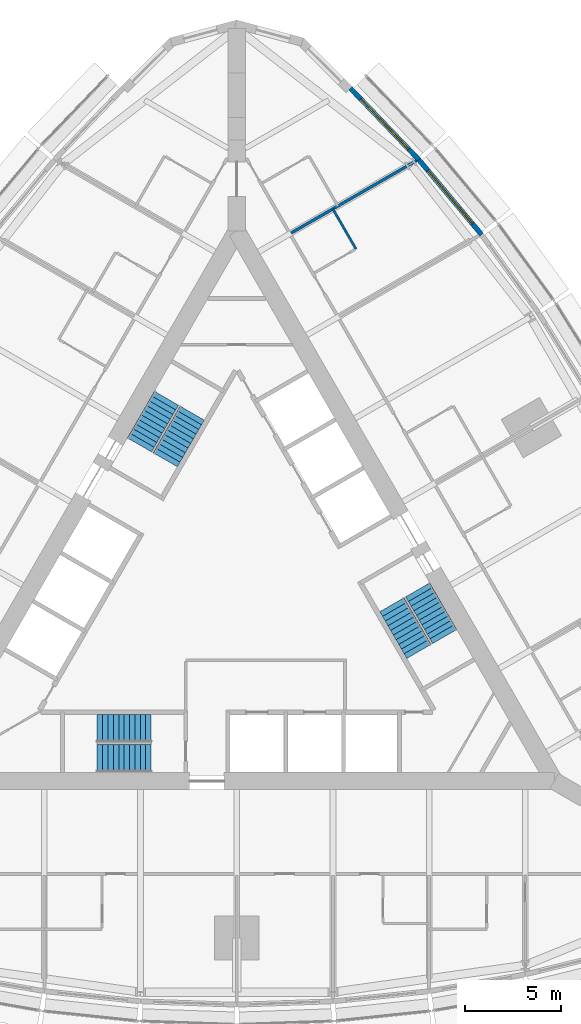
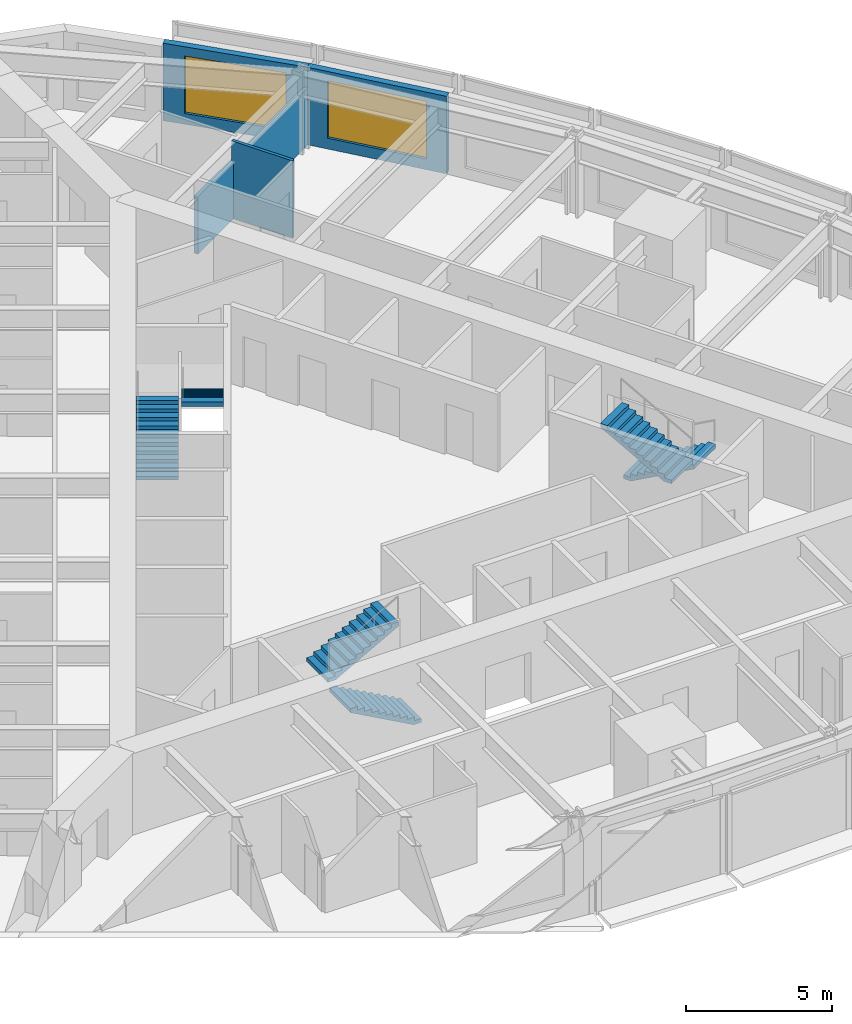
# One storey, part 13 of 14: 6 stair flights, 4 walls, 2 windows, 2 openings, 3 elements without a shape of their own.
"""IFC4 building model written with IfcOpenShell, lengths in metres."""

from ifc_helpers import new_model, si_unit, direction, frame, frame_2d, origin, place, context, subcontext, project, spatial, polyline, rectangle, outline, extrude, material, layer, layer_set, type_object, element, fill, aggregate, save


model = new_model("IFC4")

# Units and contexts
model_context = context("Model", 3, precision=1e-05, world=origin(), true_north=direction((0.0, 1.0)))
body_context = subcontext(model_context, "Body", "Model", "MODEL_VIEW")
ifc_project = project(units=[si_unit("LENGTHUNIT", "METRE"), si_unit("AREAUNIT", "SQUARE_METRE"), si_unit("VOLUMEUNIT", "CUBIC_METRE"), si_unit("PLANEANGLEUNIT", "RADIAN"), si_unit("MASSUNIT", "GRAM", prefix="KILO")], contexts=[model_context])

# Site, building, storey
site_placement = place(None, origin())
site = spatial("IfcSite", under=ifc_project, at=site_placement, CompositionType="ELEMENT")
building_placement = place(site_placement, origin())
building = spatial("IfcBuilding", under=site, at=building_placement, Name="Trikona Tower", CompositionType="ELEMENT")
storey_placement = place(building_placement, frame((0.0, 0.0, 162.300048828125)))
storey = spatial("IfcBuildingStorey", under=building, at=storey_placement, Name="L43", CompositionType="ELEMENT", Elevation=162.300048828125)

# Wall
ifc_material_1 = material(Name="Metal stud and cement board", Category="gypsum")
ifc_layer_1 = layer(ifc_material_1, 0.1201171875)
ifc_layer_set_1 = layer_set([ifc_layer_1], Name="Bathroom wall 120")
wall_type_1 = type_object("IfcWallType", Name="Bathroom wall 120", PredefinedType="PLUMBINGWALL", material=ifc_layer_set_1)
wall_1_placement = place(storey_placement, frame((6.193603515625, 18.125, 0.0), z_axis=(0.0, 0.0, 1.0), x_axis=(-0.500033551112, 0.866006032174, 0.0)))
element("IfcWall", 1, at=wall_1_placement, inside=storey, type_object=wall_type_1, Name="Bathroom wall 4308", PredefinedType="PLUMBINGWALL", context=body_context, shape_type="SweptSolid", body=[
    extrude(rectangle(XDim=2.400146484375, YDim=0.1201171875, at=frame_2d((1.2001953125, 0.0))), origin(), (0.0, 0.0, 1.0), 3.23486328125),
])

# Wall, opening, window
ifc_material_2 = material(Name="Insulated precast concrete spandrel panel", Category="concrete")
ifc_layer_2 = layer(ifc_material_2, 0.25)
ifc_layer_set_2 = layer_set([ifc_layer_2], Name="Inner skin wall 250")
wall_type_2 = type_object("IfcWallType", Name="Inner skin wall 250", PredefinedType="STANDARD", material=ifc_layer_set_2)
wall_2_placement = place(storey_placement, frame((12.722900390625, 18.86767578125, 0.0), z_axis=(0.0, 0.0, 1.0), x_axis=(-0.641810386606, 0.766863369607, 0.0)))
wall_2 = element("IfcWall", 2, at=wall_2_placement, inside=storey, type_object=wall_type_2, Name="External wall L43-18", PredefinedType="STANDARD", context=body_context, shape_type="SweptSolid", body=[
    extrude(rectangle(XDim=5.075927734375, YDim=0.25, at=frame_2d((2.5380859375, 0.0))), origin(), (0.0, 0.0, 1.0), 3.23486328125),
])
opening_1_placement = place(wall_2_placement, frame((0.738037109375, 0.0, 0.449951171875)))
opening_1 = element("IfcOpeningElement", 3, at=opening_1_placement, cuts=wall_2, Name="Opening W3624", PredefinedType="OPENING", context=body_context, shape_type="SweptSolid", body=[
    extrude(rectangle(XDim=3.60009765625, YDim=2.39990234375, at=frame_2d((1.800048828125, 1.199951171875))), frame((0.0, 0.135009765625, 0.0), z_axis=(0.0, -1.0, 0.0), x_axis=(1.0, 0.0, 0.0)), (0.0, 0.0, 1.0), 0.27001953125),
])
ifc_material_3 = material(Name="Aluminium-framed double glazing", Category="aluminium")
window_type = type_object("IfcWindowType", Name="Window 3600x2400", PartitioningType="SINGLE_PANEL", PredefinedType="WINDOW", material=ifc_material_3)
window_1_placement = place(opening_1_placement, origin())
window_1 = element("IfcWindow", 4, at=window_1_placement, inside=storey, type_object=window_type, Name="Window 4308", OverallHeight=2.39990234375, OverallWidth=3.60009765625, PartitioningType="SINGLE_PANEL", PredefinedType="WINDOW", context=body_context, shape_type="SweptSolid", body=[
    extrude(rectangle(XDim=3.60009765625, YDim=2.39990234375, at=frame_2d((1.800048828125, 1.199951171875))), frame((0.0, 0.030029296875, 0.0), z_axis=(0.0, -1.0, 0.0), x_axis=(1.0, 0.0, 0.0)), (0.0, 0.0, 1.0), 0.06005859375),
])
fill(opening_1, window_1)

wall_3_placement = place(storey_placement, frame((9.470703125, 22.75390625, 0.0), z_axis=(0.0, 0.0, 1.0), x_axis=(-0.691719937936, 0.722165858693, 0.0)))
wall_3 = element("IfcWall", 5, at=wall_3_placement, inside=storey, type_object=wall_type_2, Name="External wall L43-19", PredefinedType="STANDARD", context=body_context, shape_type="SweptSolid", body=[
    extrude(rectangle(XDim=5.148193359375, YDim=0.25, at=frame_2d((2.57421875, 0.0))), origin(), (0.0, 0.0, 1.0), 3.23486328125),
])
opening_2_placement = place(wall_3_placement, frame((0.77392578125, 0.0, 0.449951171875)))
opening_2 = element("IfcOpeningElement", 6, at=opening_2_placement, cuts=wall_3, Name="Opening W3624", PredefinedType="OPENING", context=body_context, shape_type="SweptSolid", body=[
    extrude(rectangle(XDim=3.60009765625, YDim=2.39990234375, at=frame_2d((1.800048828125, 1.199951171875))), frame((0.0, 0.135009765625, 0.0), z_axis=(0.0, -1.0, 0.0), x_axis=(1.0, 0.0, 0.0)), (0.0, 0.0, 1.0), 0.27001953125),
])
window_2_placement = place(opening_2_placement, origin())
window_2 = element("IfcWindow", 7, at=window_2_placement, inside=storey, type_object=window_type, Name="Window 4309", OverallHeight=2.39990234375, OverallWidth=3.60009765625, PartitioningType="SINGLE_PANEL", PredefinedType="WINDOW", context=body_context, shape_type="SweptSolid", body=[
    extrude(rectangle(XDim=3.60009765625, YDim=2.39990234375, at=frame_2d((1.800048828125, 1.199951171875))), frame((0.0, 0.030029296875, 0.0), z_axis=(0.0, -1.0, 0.0), x_axis=(1.0, 0.0, 0.0)), (0.0, 0.0, 1.0), 0.06005859375),
])
fill(opening_2, window_2)

# Wall
ifc_material_4 = material(Name="Metal stud and gypsum board, 1-hour acoustic", Category="gypsum")
ifc_layer_3 = layer(ifc_material_4, 0.14990234375)
ifc_layer_set_3 = layer_set([ifc_layer_3], Name="Party wall 150")
wall_type_3 = type_object("IfcWallType", Name="Party wall 150", PredefinedType="PARTITIONING", material=ifc_layer_set_3)
wall_4_placement = place(storey_placement, frame((2.82861328125, 18.95361328125, 0.0), z_axis=(0.0, 0.0, 1.0), x_axis=(0.866015739374, 0.500016738876, 0.0)))
element("IfcWall", 8, at=wall_4_placement, inside=storey, type_object=wall_type_3, Name="Partition L43 F2 u15", PredefinedType="PARTITIONING", context=body_context, shape_type="SweptSolid", body=[
    extrude(rectangle(XDim=7.516357421875, YDim=0.14990234375, at=frame_2d((3.75830078125, 0.0))), origin(), (0.0, 0.0, 1.0), 2.38916015625),
])

# Stair, stair flights
ifc_material_5 = material(Name="Concrete f'c 5000 psi", Category="concrete")
stair_type = type_object("IfcStairType", Name="Core stair", PredefinedType="HALF_TURN_STAIR", material=ifc_material_5)
stair_1_placement = place(storey_placement, origin())
stair_1 = element("IfcStair", 9, at=stair_1_placement, inside=storey, type_object=stair_type, Name="Stair A L43", PredefinedType="HALF_TURN_STAIR")
ifc_material_6 = material(Name="Concrete f'c 5000 psi", Category="concrete")
stair_flight_type = type_object("IfcStairFlightType", Name="Core stair flight 1450", PredefinedType="STRAIGHT", material=ifc_material_6)
stair_flight_1_placement = place(storey_placement, frame((-4.449951171875, -8.351318359375, 0.0), z_axis=(0.0, 0.0, 1.0), x_axis=(-1.0, 0.0, 0.0)))
stair_flight_1 = element("IfcStairFlight", 10, at=stair_flight_1_placement, type_object=stair_flight_type, Name="ST-A flight 1", NumberOfRisers=11, NumberOfTreads=10, PredefinedType="STRAIGHT", RiserHeight=0.154545, TreadLength=0.28, context=body_context, shape_type="SweptSolid", body=[
    extrude(outline(polyline([(0.0, 0.0), (0.0, 0.154541015625), (0.280029296875, 0.154541015625), (0.280029296875, 0.30908203125), (0.56005859375, 0.30908203125), (0.56005859375, 0.463623046875), (0.840087890625, 0.463623046875), (0.840087890625, 0.6181640625), (1.1201171875, 0.6181640625), (1.1201171875, 0.772705078125), (1.39990234375, 0.772705078125), (1.39990234375, 0.92724609375), (1.679931640625, 0.92724609375), (1.679931640625, 1.081787109375), (1.9599609375, 1.081787109375), (1.9599609375, 1.236328125), (2.239990234375, 1.236328125), (2.239990234375, 1.390869140625), (2.52001953125, 1.390869140625), (2.52001953125, 1.54541015625), (2.800048828125, 1.54541015625), (2.800048828125, 1.699951171875), (2.800048828125, 1.374267578125), (0.310302734375, 0.0), (0.0, 0.0)])), frame((0.0, 0.72509765625, 0.0), z_axis=(0.0, -1.0, 0.0), x_axis=(1.0, 0.0, 0.0)), (0.0, 0.0, 1.0), 1.449951171875),
])
stair_flight_2_placement = place(storey_placement, frame((-7.25, -6.80126953125, 1.699951171875), z_axis=(0.0, 0.0, 1.0), x_axis=(1.0, 0.0, 0.0)))
stair_flight_2 = element("IfcStairFlight", 11, at=stair_flight_2_placement, type_object=stair_flight_type, Name="ST-A flight 2", NumberOfRisers=11, NumberOfTreads=10, PredefinedType="STRAIGHT", RiserHeight=0.154545, TreadLength=0.28, context=body_context, shape_type="SweptSolid", body=[
    extrude(outline(polyline([(0.0, 0.0), (0.0, 0.154541015625), (0.280029296875, 0.154541015625), (0.280029296875, 0.30908203125), (0.56005859375, 0.30908203125), (0.56005859375, 0.463623046875), (0.840087890625, 0.463623046875), (0.840087890625, 0.6181640625), (1.1201171875, 0.6181640625), (1.1201171875, 0.772705078125), (1.39990234375, 0.772705078125), (1.39990234375, 0.92724609375), (1.679931640625, 0.92724609375), (1.679931640625, 1.081787109375), (1.9599609375, 1.081787109375), (1.9599609375, 1.236328125), (2.239990234375, 1.236328125), (2.239990234375, 1.390869140625), (2.52001953125, 1.390869140625), (2.52001953125, 1.54541015625), (2.800048828125, 1.54541015625), (2.800048828125, 1.699951171875), (2.800048828125, 1.374267578125), (0.310302734375, 0.0), (0.0, 0.0)])), frame((0.0, 0.72509765625, 0.0), z_axis=(0.0, -1.0, 0.0), x_axis=(1.0, 0.0, 0.0)), (0.0, 0.0, 1.0), 1.449951171875),
])
aggregate(stair_1, [stair_flight_1, stair_flight_2])

stair_2_placement = place(storey_placement, origin())
stair_2 = element("IfcStair", 12, at=stair_2_placement, inside=storey, type_object=stair_type, Name="Stair B L43", PredefinedType="HALF_TURN_STAIR")
stair_flight_3_placement = place(storey_placement, frame((9.407470703125, 0.408447265625, 0.0), z_axis=(0.0, 0.0, 1.0), x_axis=(0.5, -0.866025403784, 0.0)))
stair_flight_3 = element("IfcStairFlight", 13, at=stair_flight_3_placement, type_object=stair_flight_type, Name="ST-B flight 1", NumberOfRisers=11, NumberOfTreads=10, PredefinedType="STRAIGHT", RiserHeight=0.154545, TreadLength=0.28, context=body_context, shape_type="SweptSolid", body=[
    extrude(outline(polyline([(0.0, 0.0), (0.0, 0.154541015625), (0.280029296875, 0.154541015625), (0.280029296875, 0.30908203125), (0.56005859375, 0.30908203125), (0.56005859375, 0.463623046875), (0.840087890625, 0.463623046875), (0.840087890625, 0.6181640625), (1.1201171875, 0.6181640625), (1.1201171875, 0.772705078125), (1.39990234375, 0.772705078125), (1.39990234375, 0.92724609375), (1.679931640625, 0.92724609375), (1.679931640625, 1.081787109375), (1.9599609375, 1.081787109375), (1.9599609375, 1.236328125), (2.239990234375, 1.236328125), (2.239990234375, 1.390869140625), (2.52001953125, 1.390869140625), (2.52001953125, 1.54541015625), (2.800048828125, 1.54541015625), (2.800048828125, 1.699951171875), (2.800048828125, 1.374267578125), (0.310302734375, 0.0), (0.0, 0.0)])), frame((0.0, 0.72509765625, 0.0), z_axis=(0.0, -1.0, 0.0), x_axis=(1.0, 0.0, 0.0)), (0.0, 0.0, 1.0), 1.449951171875),
])
stair_flight_4_placement = place(storey_placement, frame((9.465087890625, -2.79150390625, 1.699951171875), z_axis=(0.0, 0.0, 1.0), x_axis=(-0.5, 0.866025403784, 0.0)))
stair_flight_4 = element("IfcStairFlight", 14, at=stair_flight_4_placement, type_object=stair_flight_type, Name="ST-B flight 2", NumberOfRisers=11, NumberOfTreads=10, PredefinedType="STRAIGHT", RiserHeight=0.154545, TreadLength=0.28, context=body_context, shape_type="SweptSolid", body=[
    extrude(outline(polyline([(0.0, 0.0), (0.0, 0.154541015625), (0.280029296875, 0.154541015625), (0.280029296875, 0.30908203125), (0.56005859375, 0.30908203125), (0.56005859375, 0.463623046875), (0.840087890625, 0.463623046875), (0.840087890625, 0.6181640625), (1.1201171875, 0.6181640625), (1.1201171875, 0.772705078125), (1.39990234375, 0.772705078125), (1.39990234375, 0.92724609375), (1.679931640625, 0.92724609375), (1.679931640625, 1.081787109375), (1.9599609375, 1.081787109375), (1.9599609375, 1.236328125), (2.239990234375, 1.236328125), (2.239990234375, 1.390869140625), (2.52001953125, 1.390869140625), (2.52001953125, 1.54541015625), (2.800048828125, 1.54541015625), (2.800048828125, 1.699951171875), (2.800048828125, 1.374267578125), (0.310302734375, 0.0), (0.0, 0.0)])), frame((0.0, 0.72509765625, 0.0), z_axis=(0.0, -1.0, 0.0), x_axis=(1.0, 0.0, 0.0)), (0.0, 0.0, 1.0), 1.449951171875),
])
aggregate(stair_2, [stair_flight_3, stair_flight_4])

stair_3_placement = place(storey_placement, origin())
stair_3 = element("IfcStair", 15, at=stair_3_placement, inside=storey, type_object=stair_type, Name="Stair C L43", PredefinedType="HALF_TURN_STAIR")
stair_flight_5_placement = place(storey_placement, frame((-5.057373046875, 7.94287109375, 0.0), z_axis=(0.0, 0.0, 1.0), x_axis=(0.5, 0.866025403784, 0.0)))
stair_flight_5 = element("IfcStairFlight", 16, at=stair_flight_5_placement, type_object=stair_flight_type, Name="ST-C flight 1", NumberOfRisers=11, NumberOfTreads=10, PredefinedType="STRAIGHT", RiserHeight=0.154545, TreadLength=0.28, context=body_context, shape_type="SweptSolid", body=[
    extrude(outline(polyline([(0.0, 0.0), (0.0, 0.154541015625), (0.280029296875, 0.154541015625), (0.280029296875, 0.30908203125), (0.56005859375, 0.30908203125), (0.56005859375, 0.463623046875), (0.840087890625, 0.463623046875), (0.840087890625, 0.6181640625), (1.1201171875, 0.6181640625), (1.1201171875, 0.772705078125), (1.39990234375, 0.772705078125), (1.39990234375, 0.92724609375), (1.679931640625, 0.92724609375), (1.679931640625, 1.081787109375), (1.9599609375, 1.081787109375), (1.9599609375, 1.236328125), (2.239990234375, 1.236328125), (2.239990234375, 1.390869140625), (2.52001953125, 1.390869140625), (2.52001953125, 1.54541015625), (2.800048828125, 1.54541015625), (2.800048828125, 1.699951171875), (2.800048828125, 1.374267578125), (0.310302734375, 0.0), (0.0, 0.0)])), frame((0.0, 0.72509765625, 0.0), z_axis=(0.0, -1.0, 0.0), x_axis=(1.0, 0.0, 0.0)), (0.0, 0.0, 1.0), 1.449951171875),
])
stair_flight_6_placement = place(storey_placement, frame((-2.315185546875, 9.5927734375, 1.699951171875), z_axis=(0.0, 0.0, 1.0), x_axis=(-0.5, -0.866025403784, 0.0)))
stair_flight_6 = element("IfcStairFlight", 17, at=stair_flight_6_placement, type_object=stair_flight_type, Name="ST-C flight 2", NumberOfRisers=11, NumberOfTreads=10, PredefinedType="STRAIGHT", RiserHeight=0.154545, TreadLength=0.28, context=body_context, shape_type="SweptSolid", body=[
    extrude(outline(polyline([(0.0, 0.0), (0.0, 0.154541015625), (0.280029296875, 0.154541015625), (0.280029296875, 0.30908203125), (0.56005859375, 0.30908203125), (0.56005859375, 0.463623046875), (0.840087890625, 0.463623046875), (0.840087890625, 0.6181640625), (1.1201171875, 0.6181640625), (1.1201171875, 0.772705078125), (1.39990234375, 0.772705078125), (1.39990234375, 0.92724609375), (1.679931640625, 0.92724609375), (1.679931640625, 1.081787109375), (1.9599609375, 1.081787109375), (1.9599609375, 1.236328125), (2.239990234375, 1.236328125), (2.239990234375, 1.390869140625), (2.52001953125, 1.390869140625), (2.52001953125, 1.54541015625), (2.800048828125, 1.54541015625), (2.800048828125, 1.699951171875), (2.800048828125, 1.374267578125), (0.310302734375, 0.0), (0.0, 0.0)])), frame((0.0, 0.72509765625, 0.0), z_axis=(0.0, -1.0, 0.0), x_axis=(1.0, 0.0, 0.0)), (0.0, 0.0, 1.0), 1.449951171875),
])
aggregate(stair_3, [stair_flight_5, stair_flight_6])

save(model, "model.ifc")
